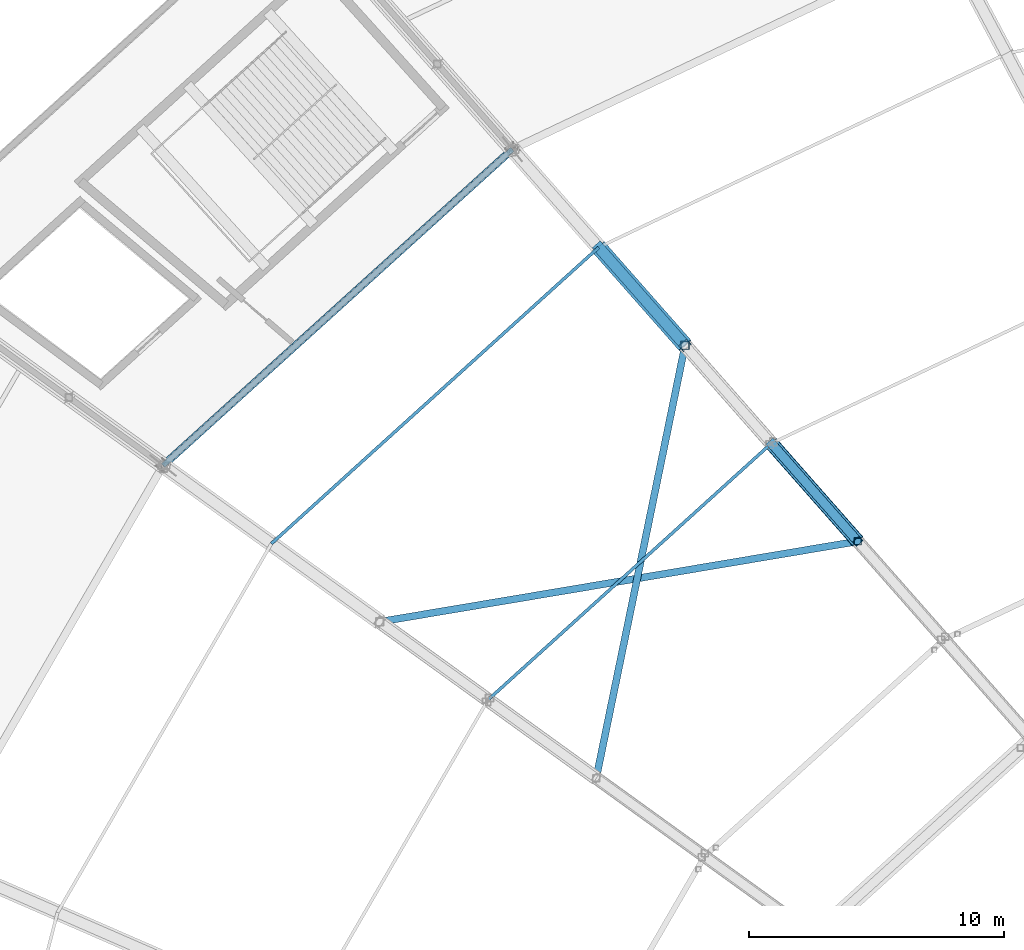
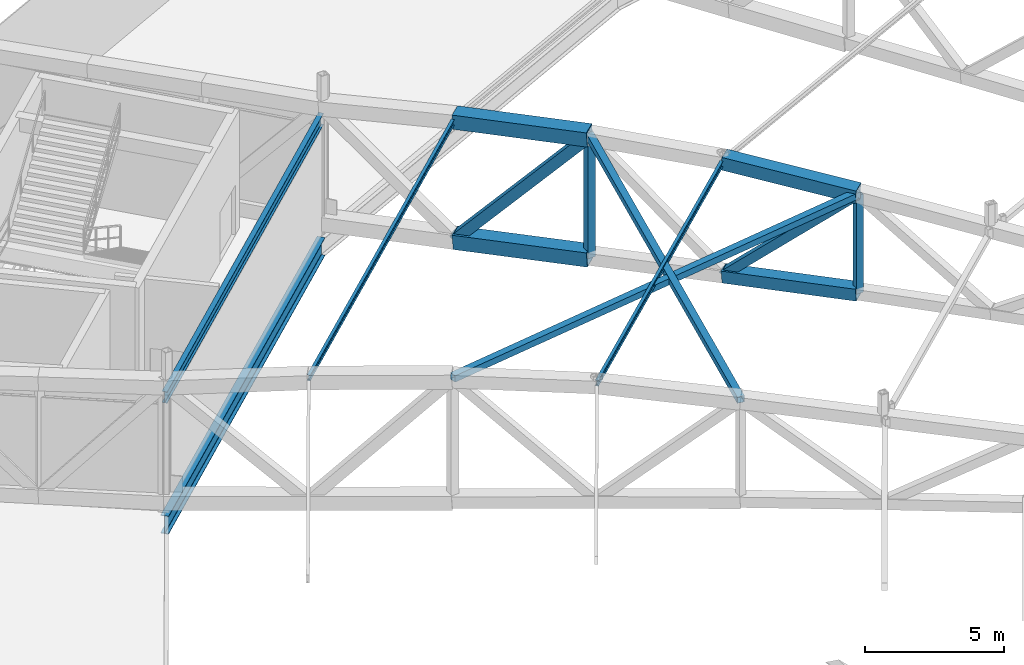
# One storey, part 68 of 162: 12 members, 2 beams.
"""IFC4 building model written with IfcOpenShell, lengths in metres."""

from ifc_helpers import new_model, si_unit, direction, frame, origin, origin_2d, place, context, subcontext, project, spatial, hollow_rectangle, i_section, extrude, material, material_profile, profile_set, type_object, element, save


model = new_model("IFC4")

# Units and contexts
model_context = context("Model", 3, precision=1e-05, world=origin(), true_north=direction((0.0, 1.0)))
body_context = subcontext(model_context, "Body", "Model", "MODEL_VIEW")
ifc_project = project(units=[si_unit("LENGTHUNIT", "METRE"), si_unit("AREAUNIT", "SQUARE_METRE"), si_unit("VOLUMEUNIT", "CUBIC_METRE"), si_unit("PLANEANGLEUNIT", "RADIAN"), si_unit("MASSUNIT", "GRAM", prefix="KILO")], contexts=[model_context])

# Site, building, storey
site_placement = place(None, origin())
site = spatial("IfcSite", under=ifc_project, at=site_placement, CompositionType="ELEMENT")
building_placement = place(site_placement, origin())
building = spatial("IfcBuilding", under=site, at=building_placement, Name="Kazemori Nagisa Stadium", CompositionType="ELEMENT")
storey_placement = place(building_placement, frame((0.0, 0.0, 36.719970703125)))
storey = spatial("IfcBuildingStorey", under=building, at=storey_placement, Name="RF", CompositionType="ELEMENT", Elevation=36.719970703125)

# Beams
ifc_material_1 = material(Name="Steel SN490B", Category="steel")
ifc_material_profile_1 = material_profile(ifc_material_1, i_section(OverallWidth=0.199951171875, OverallDepth=0.5, WebThickness=0.010009765625, FlangeThickness=0.01611328125, FilletRadius=0.012939453125, at=origin_2d()), Name="H-500x200x10x16")
ifc_profile_set_1 = profile_set([ifc_material_profile_1], Name="Steel SN490B")
beam_type_1 = type_object("IfcBeamType", Name="Beam_BG-H500", PredefinedType="BEAM", material=ifc_profile_set_1)
beam_1_placement = place(storey_placement, frame((69.165771484375, 163.11083984375, 4.93994140625), z_axis=(-0.741349142139, -0.671119549298, 0.0), x_axis=(0.671119549298, -0.741349142139, 0.0)))
element("IfcBeam", 1, at=beam_1_placement, inside=storey, type_object=beam_type_1, Name="Headhouse roof beam BG-H500 B11-in", PredefinedType="BEAM", context=body_context, shape_type="SweptSolid", body=[
    extrude(i_section(OverallWidth=0.199951171875, OverallDepth=0.5, WebThickness=0.010009765625, FlangeThickness=0.01611328125, FilletRadius=0.012939453125, at=origin_2d()), origin(), (0.0, 0.0, 1.0), 18.44189453125),
])
ifc_material_profile_2 = material_profile(ifc_material_1, i_section(OverallWidth=0.300048828125, OverallDepth=0.800048828125, WebThickness=0.013916015625, FlangeThickness=0.02587890625, FilletRadius=0.01806640625, at=origin_2d()), Name="H-800x300x14x26")
ifc_profile_set_2 = profile_set([ifc_material_profile_2], Name="Steel SN490B")
beam_type_2 = type_object("IfcBeamType", Name="Beam_BG-H800", PredefinedType="BEAM", material=ifc_profile_set_2)
beam_2_placement = place(storey_placement, frame((69.165771484375, 163.11083984375, -0.679931640625), z_axis=(-0.741349142139, -0.671119549298, 0.0), x_axis=(0.671119549298, -0.741349142139, 0.0)))
element("IfcBeam", 2, at=beam_2_placement, inside=storey, type_object=beam_type_2, Name="Ring girder BG-H800 RF R2-11", PredefinedType="BEAM", context=body_context, shape_type="SweptSolid", body=[
    extrude(i_section(OverallWidth=0.300048828125, OverallDepth=0.800048828125, WebThickness=0.013916015625, FlangeThickness=0.02587890625, FilletRadius=0.01806640625, at=origin_2d()), origin(), (0.0, 0.0, 1.0), 18.44189453125),
])

# Members
ifc_material_2 = material(Name="Steel STKR490", Category="steel")
ifc_material_profile_3 = material_profile(ifc_material_2, hollow_rectangle(XDim=0.280029296875, YDim=0.280029296875, WallThickness=0.010009765625, at=origin_2d()), Name="SHS-280x280x10")
ifc_profile_set_3 = profile_set([ifc_material_profile_3], Name="Steel STKR490")
member_type_1 = type_object("IfcMemberType", Name="Member_TB-SHS280", PredefinedType="BRACE", material=ifc_profile_set_3)
member_1_placement = place(storey_placement, frame((75.92626953125, 155.436279296875, 6.47314453125), z_axis=(-0.201044304638, -0.979545781413, -0.008440953042), x_axis=(0.979580679444, -0.201051467193, 0.0)))
element("IfcMember", 3, at=member_1_placement, inside=storey, type_object=member_type_1, Name="Roof space truss plan brace B11-1", PredefinedType="BRACE", context=body_context, shape_type="SweptSolid", body=[
    extrude(hollow_rectangle(XDim=0.280029296875, YDim=0.280029296875, WallThickness=0.010009765625, at=origin_2d()), origin(), (0.0, 0.0, 1.0), 17.296142578125),
])
member_2_placement = place(storey_placement, frame((63.971435546875, 144.614013671875, 6.56005859375), z_axis=(0.985985763176, 0.165842242012, -0.018122515821), x_axis=(-0.165869482139, 0.986147714541, 0.0)))
element("IfcMember", 4, at=member_2_placement, inside=storey, type_object=member_type_1, Name="Roof space truss plan brace B11-2", PredefinedType="BRACE", context=body_context, shape_type="SweptSolid", body=[
    extrude(hollow_rectangle(XDim=0.280029296875, YDim=0.280029296875, WallThickness=0.010009765625, at=origin_2d()), origin(), (0.0, 0.0, 1.0), 18.981689453125),
])
ifc_material_profile_4 = material_profile(ifc_material_2, hollow_rectangle(XDim=0.360107421875, YDim=0.360107421875, WallThickness=0.013916015625, at=origin_2d()), Name="SHS-360x360x14")
ifc_profile_set_4 = profile_set([ifc_material_profile_4], Name="Steel STKR490")
member_type_2 = type_object("IfcMemberType", Name="Member_TB-SHS360", PredefinedType="BRACE", material=ifc_profile_set_4)
member_3_placement = place(storey_placement, frame((79.306640625, 151.59912109375, 1.547119140625), z_axis=(0.488170173719, -0.554136257427, 0.674257287462), x_axis=(0.750357303375, 0.661032463099, 0.0)))
element("IfcMember", 5, at=member_3_placement, inside=storey, type_object=member_type_2, Name="Roof space truss diagonal RT-11-7", PredefinedType="BRACE", context=body_context, shape_type="SweptSolid", body=[
    extrude(hollow_rectangle(XDim=0.360107421875, YDim=0.360107421875, WallThickness=0.013916015625, at=origin_2d()), origin(), (0.0, 0.0, 1.0), 6.924560546875),
])
ifc_material_profile_5 = material_profile(ifc_material_2, hollow_rectangle(XDim=0.419921875, YDim=0.419921875, WallThickness=0.01611328125, at=origin_2d()), Name="SHS-420x420x16")
ifc_profile_set_5 = profile_set([ifc_material_profile_5], Name="Steel STKR490")
member_type_3 = type_object("IfcMemberType", Name="Member_TB-SHS420", PredefinedType="BRACE", material=ifc_profile_set_5)
member_4_placement = place(storey_placement, frame((72.546142578125, 159.2734375, 0.822021484375), z_axis=(0.443510476123, -0.503478089796, 0.741490573551), x_axis=(0.750380984059, 0.661005581491, 0.0)))
element("IfcMember", 6, at=member_4_placement, inside=storey, type_object=member_type_3, Name="Roof space truss diagonal RT-11-5", PredefinedType="BRACE", context=body_context, shape_type="SweptSolid", body=[
    extrude(hollow_rectangle(XDim=0.419921875, YDim=0.419921875, WallThickness=0.01611328125, at=origin_2d()), origin(), (0.0, 0.0, 1.0), 7.621337890625),
])
ifc_material_profile_6 = material_profile(ifc_material_2, hollow_rectangle(XDim=0.52001953125, YDim=0.52001953125, WallThickness=0.01904296875, at=origin_2d()), Name="SHS-520x520x19")
ifc_profile_set_6 = profile_set([ifc_material_profile_6], Name="Steel STKR490")
member_type_4 = type_object("IfcMemberType", Name="Member_TC-SHS520", PredefinedType="CHORD", material=ifc_profile_set_6)
member_5_placement = place(storey_placement, frame((79.306640625, 151.59912109375, 1.547119140625), z_axis=(0.659560850027, -0.748686832289, 0.066689671388), x_axis=(0.750357303375, 0.661032463099, 0.0)))
element("IfcMember", 7, at=member_5_placement, inside=storey, type_object=member_type_4, Name="Roof space truss bottom chord RT-11-7", PredefinedType="CHORD", context=body_context, shape_type="SweptSolid", body=[
    extrude(hollow_rectangle(XDim=0.52001953125, YDim=0.52001953125, WallThickness=0.01904296875, at=origin_2d()), origin(), (0.0, 0.0, 1.0), 5.125244140625),
])
ifc_material_profile_7 = material_profile(ifc_material_2, hollow_rectangle(XDim=0.56005859375, YDim=0.56005859375, WallThickness=0.02001953125, at=origin_2d()), Name="SHS-560x560x20")
ifc_profile_set_7 = profile_set([ifc_material_profile_7], Name="Steel STKR490")
member_type_5 = type_object("IfcMemberType", Name="Member_TC-SHS560", PredefinedType="CHORD", material=ifc_profile_set_7)
member_6_placement = place(storey_placement, frame((79.306640625, 151.59912109375, 6.55712890625), z_axis=(0.659567129249, -0.748693960018, -0.066547398495), x_axis=(0.750357303375, 0.661032463099, 0.0)))
element("IfcMember", 8, at=member_6_placement, inside=storey, type_object=member_type_5, Name="Roof space truss top chord RT-11-7", PredefinedType="CHORD", context=body_context, shape_type="SweptSolid", body=[
    extrude(hollow_rectangle(XDim=0.56005859375, YDim=0.56005859375, WallThickness=0.02001953125, at=origin_2d()), origin(), (0.0, 0.0, 1.0), 5.125244140625),
])
ifc_material_profile_8 = material_profile(ifc_material_2, hollow_rectangle(XDim=0.6201171875, YDim=0.6201171875, WallThickness=0.02197265625, at=origin_2d()), Name="SHS-620x620x22")
ifc_profile_set_8 = profile_set([ifc_material_profile_8], Name="Steel STKR490")
member_type_6 = type_object("IfcMemberType", Name="Member_TC-SHS620", PredefinedType="CHORD", material=ifc_profile_set_8)
member_7_placement = place(storey_placement, frame((72.546142578125, 159.2734375, 6.116943359375), z_axis=(0.659407742176, -0.748567098865, 0.069489049898), x_axis=(0.750380984059, 0.661005581491, 0.0)))
element("IfcMember", 9, at=member_7_placement, inside=storey, type_object=member_type_6, Name="Roof space truss top chord RT-11-5", PredefinedType="CHORD", context=body_context, shape_type="SweptSolid", body=[
    extrude(hollow_rectangle(XDim=0.6201171875, YDim=0.6201171875, WallThickness=0.02197265625, at=origin_2d()), origin(), (0.0, 0.0, 1.0), 5.1259765625),
])
member_8_placement = place(storey_placement, frame((72.546142578125, 159.2734375, 0.822021484375), z_axis=(0.659346057677, -0.748497073926, 0.070816004895), x_axis=(0.750380984059, 0.661005581491, 0.0)))
element("IfcMember", 10, at=member_8_placement, inside=storey, type_object=member_type_6, Name="Roof space truss bottom chord RT-11-5", PredefinedType="CHORD", context=body_context, shape_type="SweptSolid", body=[
    extrude(hollow_rectangle(XDim=0.6201171875, YDim=0.6201171875, WallThickness=0.02197265625, at=origin_2d()), origin(), (0.0, 0.0, 1.0), 5.12646484375),
])
ifc_material_profile_9 = material_profile(ifc_material_1, i_section(OverallWidth=0.125, OverallDepth=0.25, WebThickness=0.006103515625, FlangeThickness=0.009033203125, FilletRadius=0.008056640625, at=origin_2d()), Name="H-250x125x6x9")
ifc_profile_set_9 = profile_set([ifc_material_profile_9], Name="Steel SN490B")
member_type_7 = type_object("IfcMemberType", Name="Member_TP-H250", PredefinedType="PURLIN", material=ifc_profile_set_9)
member_9_placement = place(storey_placement, frame((72.546142578125, 159.2734375, 6.116943359375), z_axis=(-0.741353849325, -0.67110858043, 0.002782690121), x_axis=(0.671111178764, -0.741356719628, 0.0)))
element("IfcMember", 11, at=member_9_placement, inside=storey, type_object=member_type_7, Name="Roof purlin TP-H250 B11-P4", PredefinedType="PURLIN", context=body_context, shape_type="SweptSolid", body=[
    extrude(i_section(OverallWidth=0.125, OverallDepth=0.25, WebThickness=0.006103515625, FlangeThickness=0.009033203125, FilletRadius=0.008056640625, at=origin_2d()), origin(), (0.0, 0.0, 1.0), 17.283935546875),
])
member_10_placement = place(storey_placement, frame((79.306640625, 151.59912109375, 6.55712890625), z_axis=(-0.741329938556, -0.671096792632, 0.00768226004), x_axis=(0.671116596608, -0.741351815103, 0.0)))
element("IfcMember", 12, at=member_10_placement, inside=storey, type_object=member_type_7, Name="Roof purlin TP-H250 B11-P6", PredefinedType="PURLIN", context=body_context, shape_type="SweptSolid", body=[
    extrude(i_section(OverallWidth=0.125, OverallDepth=0.25, WebThickness=0.006103515625, FlangeThickness=0.009033203125, FilletRadius=0.008056640625, at=origin_2d()), origin(), (0.0, 0.0, 1.0), 14.96826171875),
])
ifc_material_profile_10 = material_profile(ifc_material_2, hollow_rectangle(XDim=0.280029296875, YDim=0.280029296875, WallThickness=0.010009765625, at=origin_2d()), Name="SHS-280x280x10")
ifc_profile_set_10 = profile_set([ifc_material_profile_10], Name="Steel STKR490")
member_type_8 = type_object("IfcMemberType", Name="Member_TS-SHS280", PredefinedType="STRUT", material=ifc_profile_set_10)
member_11_placement = place(storey_placement, frame((82.68701171875, 147.761962890625, 1.888916015625), z_axis=(0.0, 0.0, 1.0), x_axis=(1.0, 0.0, 0.0)))
element("IfcMember", 13, at=member_11_placement, inside=storey, type_object=member_type_8, Name="Roof space truss strut RT-11-8", PredefinedType="STRUT", context=body_context, shape_type="SweptSolid", body=[
    extrude(hollow_rectangle(XDim=0.280029296875, YDim=0.280029296875, WallThickness=0.010009765625, at=origin_2d()), origin(), (0.0, 0.0, 1.0), 4.3271484375),
])
ifc_material_profile_11 = material_profile(ifc_material_2, hollow_rectangle(XDim=0.320068359375, YDim=0.320068359375, WallThickness=0.011962890625, at=origin_2d()), Name="SHS-320x320x12")
ifc_profile_set_11 = profile_set([ifc_material_profile_11], Name="Steel STKR490")
member_type_9 = type_object("IfcMemberType", Name="Member_TS-SHS320", PredefinedType="STRUT", material=ifc_profile_set_11)
member_12_placement = place(storey_placement, frame((75.92626953125, 155.436279296875, 1.18505859375), z_axis=(0.0, 0.0, 1.0), x_axis=(1.0, 0.0, 0.0)))
element("IfcMember", 14, at=member_12_placement, inside=storey, type_object=member_type_9, Name="Roof space truss strut RT-11-6", PredefinedType="STRUT", context=body_context, shape_type="SweptSolid", body=[
    extrude(hollow_rectangle(XDim=0.320068359375, YDim=0.320068359375, WallThickness=0.011962890625, at=origin_2d()), origin(), (0.0, 0.0, 1.0), 5.2880859375),
])

save(model, "model.ifc")
